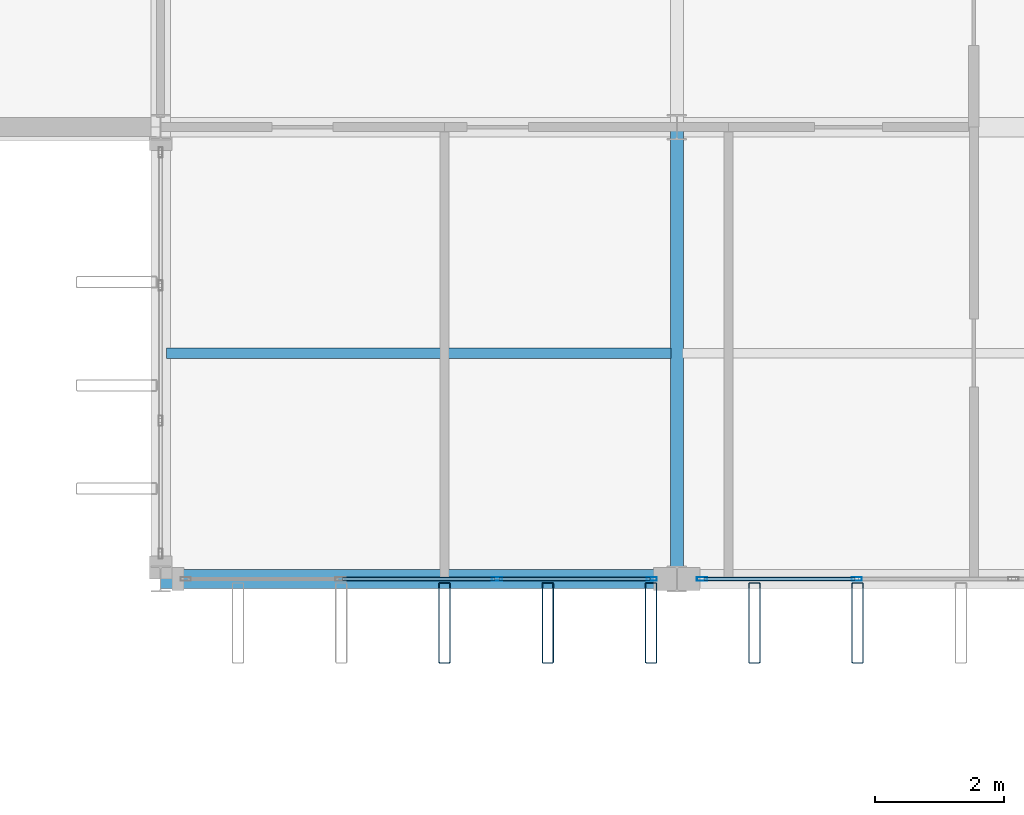
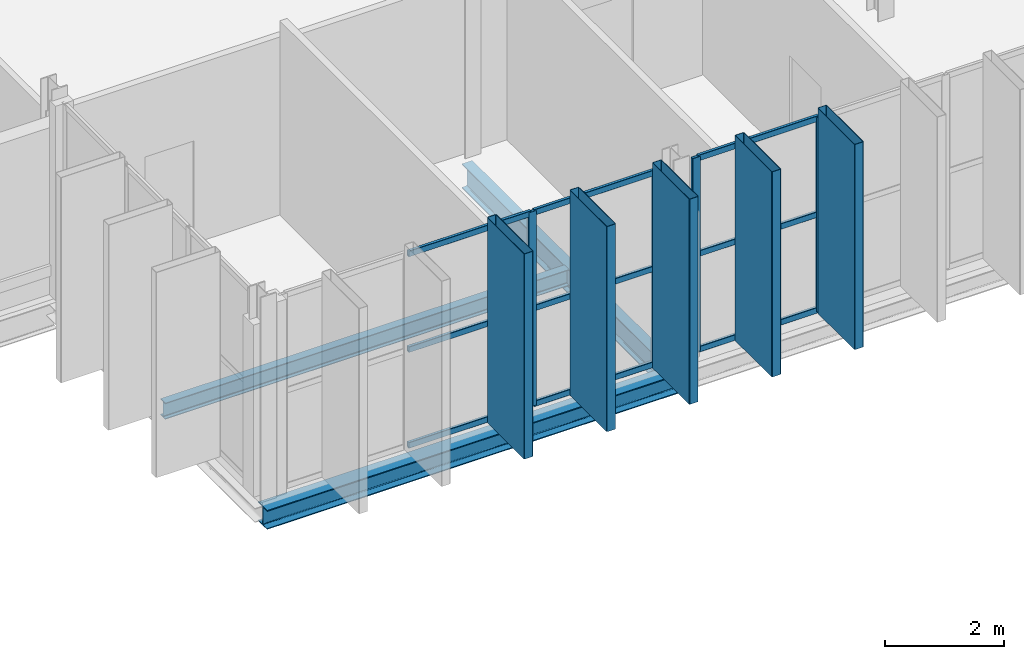
# One storey, part 25 of 101: 18 members, 3 beams, 2 elements without a shape of their own.
"""IFC4 building model written with IfcOpenShell, lengths in metres."""

from ifc_helpers import new_model, si_unit, direction, frame, origin, origin_2d, place, context, subcontext, project, spatial, hollow_rectangle, i_section, extrude, material, layer, layer_set, material_profile, profile_set, type_object, element, aggregate, save


model = new_model("IFC4")

# Units and contexts
model_context = context("Model", 3, precision=1e-05, world=origin(), true_north=direction((0.0, 1.0)))
body_context = subcontext(model_context, "Body", "Model", "MODEL_VIEW")
ifc_project = project(units=[si_unit("LENGTHUNIT", "METRE"), si_unit("AREAUNIT", "SQUARE_METRE"), si_unit("VOLUMEUNIT", "CUBIC_METRE"), si_unit("PLANEANGLEUNIT", "RADIAN"), si_unit("MASSUNIT", "GRAM", prefix="KILO")], contexts=[model_context])

# Site, building, storey
site_placement = place(None, origin())
site = spatial("IfcSite", under=ifc_project, at=site_placement, CompositionType="ELEMENT")
building_placement = place(site_placement, origin())
building = spatial("IfcBuilding", under=site, at=building_placement, Name="Vekula Escarpment Museum", CompositionType="ELEMENT")
storey_placement = place(building_placement, frame((0.0, 0.0, 18.0)))
storey = spatial("IfcBuildingStorey", under=building, at=storey_placement, Name="L04", CompositionType="ELEMENT", Elevation=18.0)

# Beams
ifc_material_1 = material(Name="Steel S355", Category="steel")
ifc_material_profile_1 = material_profile(ifc_material_1, i_section(OverallWidth=0.199951171875, OverallDepth=0.5, WebThickness=0.01025390625, FlangeThickness=0.01611328125, FilletRadius=0.02099609375, at=origin_2d()), Name="IPE 500")
ifc_profile_set_1 = profile_set([ifc_material_profile_1], Name="Steel S355")
beam_type_1 = type_object("IfcBeamType", Name="BM-GIRD-IPE500", PredefinedType="BEAM", material=ifc_profile_set_1)
beam_1_placement = place(storey_placement, frame((78.0, 45.60009765625, -0.489990234375), z_axis=(0.0, 1.0, 0.0), x_axis=(-1.0, 0.0, 0.0)))
element("IfcBeam", 1, at=beam_1_placement, inside=storey, type_object=beam_type_1, Name="Beam Y L04 1879", PredefinedType="BEAM", context=body_context, shape_type="SweptSolid", body=[
    extrude(i_section(OverallWidth=0.199951171875, OverallDepth=0.5, WebThickness=0.01025390625, FlangeThickness=0.01611328125, FilletRadius=0.02099609375, at=origin_2d()), origin(), (0.0, 0.0, 1.0), 7.0),
])
ifc_material_2 = material(Name="Steel S355", Category="steel")
ifc_material_profile_2 = material_profile(ifc_material_2, i_section(OverallWidth=0.159912109375, OverallDepth=0.330078125, WebThickness=0.007568359375, FlangeThickness=0.011474609375, FilletRadius=0.01806640625, at=origin_2d()), Name="IPE 330")
ifc_profile_set_2 = profile_set([ifc_material_profile_2], Name="Steel S355")
beam_type_2 = type_object("IfcBeamType", Name="BM-JST-IPE330", PredefinedType="JOIST", material=ifc_profile_set_2)
beam_2_placement = place(storey_placement, frame((70.090087890625, 49.10009765625, -0.405029296875), z_axis=(1.0, 0.0, 0.0), x_axis=(0.0, 1.0, 0.0)))
element("IfcBeam", 2, at=beam_2_placement, inside=storey, type_object=beam_type_2, Name="Secondary Joist L04 1197", PredefinedType="JOIST", context=body_context, shape_type="SweptSolid", body=[
    extrude(i_section(OverallWidth=0.159912109375, OverallDepth=0.330078125, WebThickness=0.007568359375, FlangeThickness=0.011474609375, FilletRadius=0.01806640625, at=origin_2d()), origin(), (0.0, 0.0, 1.0), 7.81982421875),
])
ifc_material_3 = material(Name="Steel S355", Category="steel")
ifc_material_profile_3 = material_profile(ifc_material_3, i_section(OverallWidth=0.300048828125, OverallDepth=0.389892578125, WebThickness=0.010986328125, FlangeThickness=0.01904296875, FilletRadius=0.027099609375, at=origin_2d()), Name="HEA 400")
ifc_profile_set_3 = profile_set([ifc_material_profile_3], Name="Steel S355")
beam_type_3 = type_object("IfcBeamType", Name="BM-SPAN-HEA400", PredefinedType="SPANDREL", material=ifc_profile_set_3)
beam_3_placement = place(storey_placement, frame((70.0, 45.60009765625, -0.43505859375), z_axis=(1.0, 0.0, 0.0), x_axis=(0.0, 1.0, 0.0)))
element("IfcBeam", 3, at=beam_3_placement, inside=storey, type_object=beam_type_3, Name="Beam X L04 1683", PredefinedType="SPANDREL", context=body_context, shape_type="SweptSolid", body=[
    extrude(i_section(OverallWidth=0.300048828125, OverallDepth=0.389892578125, WebThickness=0.010986328125, FlangeThickness=0.01904296875, FilletRadius=0.027099609375, at=origin_2d()), origin(), (0.0, 0.0, 1.0), 8.0),
])

# Curtain wall, members
ifc_material_4 = material(Name="Aluminium thermally broken framing", Category="aluminium")
ifc_layer_1 = layer(ifc_material_4, 0.159912109375)
ifc_layer_set_1 = layer_set([ifc_layer_1], Name="Aluminium thermally broken framing")
curtain_wall_type_1 = type_object("IfcCurtainWallType", Name="CW-SYS-02", PredefinedType="NOTDEFINED", material=ifc_layer_set_1)
curtain_wall_1_placement = place(storey_placement, origin())
curtain_wall_1 = element("IfcCurtainWall", 4, at=curtain_wall_1_placement, inside=storey, type_object=curtain_wall_type_1, Name="Curtain Wall CW-L04-132", PredefinedType="NOTDEFINED")
ifc_material_5 = material(Name="Aluminium anodized mullion", Category="aluminium")
ifc_material_profile_4 = material_profile(ifc_material_5, hollow_rectangle(XDim=0.06005859375, YDim=0.159912109375, WallThickness=0.00390625, InnerFilletRadius=0.00390625, OuterFilletRadius=0.008056640625, at=origin_2d()), Name="ALU 160x60x4")
ifc_profile_set_4 = profile_set([ifc_material_profile_4], Name="Aluminium anodized mullion")
member_type_1 = type_object("IfcMemberType", Name="CW-MUL-160", PredefinedType="MULLION", material=ifc_profile_set_4)
member_1_placement = place(storey_placement, frame((75.21337890625, 45.60009765625, 0.0), z_axis=(0.0, 0.0, 1.0), x_axis=(0.0, 1.0, 0.0)))
member_1 = element("IfcMember", 5, at=member_1_placement, type_object=member_type_1, Name="CW-02 mullion 3", PredefinedType="MULLION", context=body_context, shape_type="SweptSolid", body=[
    extrude(hollow_rectangle(XDim=0.06005859375, YDim=0.159912109375, WallThickness=0.00390625, InnerFilletRadius=0.00390625, OuterFilletRadius=0.008056640625, at=origin_2d()), origin(), (0.0, 0.0, 1.0), 3.97998046875),
])
member_2_placement = place(storey_placement, frame((77.610107421875, 45.60009765625, 0.0), z_axis=(0.0, 0.0, 1.0), x_axis=(0.0, 1.0, 0.0)))
member_2 = element("IfcMember", 6, at=member_2_placement, type_object=member_type_1, Name="CW-02 mullion 4", PredefinedType="MULLION", context=body_context, shape_type="SweptSolid", body=[
    extrude(hollow_rectangle(XDim=0.06005859375, YDim=0.159912109375, WallThickness=0.00390625, InnerFilletRadius=0.00390625, OuterFilletRadius=0.008056640625, at=origin_2d()), origin(), (0.0, 0.0, 1.0), 3.97998046875),
])

ifc_material_6 = material(Name="Aluminium thermally broken framing", Category="aluminium")
ifc_layer_2 = layer(ifc_material_6, 0.199951171875)
ifc_layer_set_2 = layer_set([ifc_layer_2], Name="Aluminium thermally broken framing")
curtain_wall_type_2 = type_object("IfcCurtainWallType", Name="CW-SYS-03", PredefinedType="NOTDEFINED", material=ifc_layer_set_2)
curtain_wall_2_placement = place(storey_placement, origin())
curtain_wall_2 = element("IfcCurtainWall", 7, at=curtain_wall_2_placement, inside=storey, type_object=curtain_wall_type_2, Name="Curtain Wall CW-L04-133", PredefinedType="NOTDEFINED")
member_3_placement = place(storey_placement, frame((78.389892578125, 45.60009765625, 0.0), z_axis=(0.0, 0.0, 1.0), x_axis=(0.0, 1.0, 0.0)))
member_3 = element("IfcMember", 8, at=member_3_placement, type_object=member_type_1, Name="CW-03 mullion 1", PredefinedType="MULLION", context=body_context, shape_type="SweptSolid", body=[
    extrude(hollow_rectangle(XDim=0.06005859375, YDim=0.159912109375, WallThickness=0.00390625, InnerFilletRadius=0.00390625, OuterFilletRadius=0.008056640625, at=origin_2d()), origin(), (0.0, 0.0, 1.0), 3.97998046875),
])
member_4_placement = place(storey_placement, frame((80.78662109375, 45.60009765625, 0.0), z_axis=(0.0, 0.0, 1.0), x_axis=(0.0, 1.0, 0.0)))
member_4 = element("IfcMember", 9, at=member_4_placement, type_object=member_type_1, Name="CW-03 mullion 2", PredefinedType="MULLION", context=body_context, shape_type="SweptSolid", body=[
    extrude(hollow_rectangle(XDim=0.06005859375, YDim=0.159912109375, WallThickness=0.00390625, InnerFilletRadius=0.00390625, OuterFilletRadius=0.008056640625, at=origin_2d()), origin(), (0.0, 0.0, 1.0), 3.97998046875),
])

# Member
ifc_material_7 = material(Name="Aluminium anodized transom", Category="aluminium")
ifc_material_profile_5 = material_profile(ifc_material_7, hollow_rectangle(XDim=0.06005859375, YDim=0.1201171875, WallThickness=0.00390625, InnerFilletRadius=0.00390625, OuterFilletRadius=0.008056640625, at=origin_2d()), Name="ALU 120x60x4")
ifc_profile_set_5 = profile_set([ifc_material_profile_5], Name="Aluminium anodized transom")
member_type_2 = type_object("IfcMemberType", Name="CW-TRN-120", PredefinedType="USERDEFINED", material=ifc_profile_set_5)
member_5_placement = place(storey_placement, frame((72.816650390625, 45.60009765625, 0.030029296875), z_axis=(1.0, 0.0, 0.0), x_axis=(0.0, 1.0, 0.0)))
member_5 = element("IfcMember", 10, at=member_5_placement, type_object=member_type_2, Name="CW-02 transom 2.1", ObjectType="TRANSOM", PredefinedType="USERDEFINED", context=body_context, shape_type="SweptSolid", body=[
    extrude(hollow_rectangle(XDim=0.06005859375, YDim=0.1201171875, WallThickness=0.00390625, InnerFilletRadius=0.00390625, OuterFilletRadius=0.008056640625, at=origin_2d()), origin(), (0.0, 0.0, 1.0), 2.36669921875),
])

member_6_placement = place(storey_placement, frame((72.816650390625, 45.60009765625, 1.989990234375), z_axis=(1.0, 0.0, 0.0), x_axis=(0.0, 1.0, 0.0)))
member_6 = element("IfcMember", 11, at=member_6_placement, type_object=member_type_2, Name="CW-02 transom 2.2", ObjectType="TRANSOM", PredefinedType="USERDEFINED", context=body_context, shape_type="SweptSolid", body=[
    extrude(hollow_rectangle(XDim=0.06005859375, YDim=0.1201171875, WallThickness=0.00390625, InnerFilletRadius=0.00390625, OuterFilletRadius=0.008056640625, at=origin_2d()), origin(), (0.0, 0.0, 1.0), 2.36669921875),
])

member_7_placement = place(storey_placement, frame((72.816650390625, 45.60009765625, 3.949951171875), z_axis=(1.0, 0.0, 0.0), x_axis=(0.0, 1.0, 0.0)))
member_7 = element("IfcMember", 12, at=member_7_placement, type_object=member_type_2, Name="CW-02 transom 2.3", ObjectType="TRANSOM", PredefinedType="USERDEFINED", context=body_context, shape_type="SweptSolid", body=[
    extrude(hollow_rectangle(XDim=0.06005859375, YDim=0.1201171875, WallThickness=0.00390625, InnerFilletRadius=0.00390625, OuterFilletRadius=0.008056640625, at=origin_2d()), origin(), (0.0, 0.0, 1.0), 2.36669921875),
])

member_8_placement = place(storey_placement, frame((75.243408203125, 45.60009765625, 0.030029296875), z_axis=(1.0, 0.0, 0.0), x_axis=(0.0, 1.0, 0.0)))
member_8 = element("IfcMember", 13, at=member_8_placement, type_object=member_type_2, Name="CW-02 transom 3.1", ObjectType="TRANSOM", PredefinedType="USERDEFINED", context=body_context, shape_type="SweptSolid", body=[
    extrude(hollow_rectangle(XDim=0.06005859375, YDim=0.1201171875, WallThickness=0.00390625, InnerFilletRadius=0.00390625, OuterFilletRadius=0.008056640625, at=origin_2d()), origin(), (0.0, 0.0, 1.0), 2.336669921875),
])

member_9_placement = place(storey_placement, frame((75.243408203125, 45.60009765625, 1.989990234375), z_axis=(1.0, 0.0, 0.0), x_axis=(0.0, 1.0, 0.0)))
member_9 = element("IfcMember", 14, at=member_9_placement, type_object=member_type_2, Name="CW-02 transom 3.2", ObjectType="TRANSOM", PredefinedType="USERDEFINED", context=body_context, shape_type="SweptSolid", body=[
    extrude(hollow_rectangle(XDim=0.06005859375, YDim=0.1201171875, WallThickness=0.00390625, InnerFilletRadius=0.00390625, OuterFilletRadius=0.008056640625, at=origin_2d()), origin(), (0.0, 0.0, 1.0), 2.336669921875),
])

member_10_placement = place(storey_placement, frame((75.243408203125, 45.60009765625, 3.949951171875), z_axis=(1.0, 0.0, 0.0), x_axis=(0.0, 1.0, 0.0)))
member_10 = element("IfcMember", 15, at=member_10_placement, type_object=member_type_2, Name="CW-02 transom 3.3", ObjectType="TRANSOM", PredefinedType="USERDEFINED", context=body_context, shape_type="SweptSolid", body=[
    extrude(hollow_rectangle(XDim=0.06005859375, YDim=0.1201171875, WallThickness=0.00390625, InnerFilletRadius=0.00390625, OuterFilletRadius=0.008056640625, at=origin_2d()), origin(), (0.0, 0.0, 1.0), 2.336669921875),
])

aggregate(curtain_wall_1, [member_1, member_2, member_5, member_6, member_7, member_8, member_9, member_10])

member_11_placement = place(storey_placement, frame((78.419921875, 45.60009765625, 0.030029296875), z_axis=(1.0, 0.0, 0.0), x_axis=(0.0, 1.0, 0.0)))
member_11 = element("IfcMember", 16, at=member_11_placement, type_object=member_type_2, Name="CW-03 transom 1.1", ObjectType="TRANSOM", PredefinedType="USERDEFINED", context=body_context, shape_type="SweptSolid", body=[
    extrude(hollow_rectangle(XDim=0.06005859375, YDim=0.1201171875, WallThickness=0.00390625, InnerFilletRadius=0.00390625, OuterFilletRadius=0.008056640625, at=origin_2d()), origin(), (0.0, 0.0, 1.0), 2.336669921875),
])

member_12_placement = place(storey_placement, frame((78.419921875, 45.60009765625, 1.989990234375), z_axis=(1.0, 0.0, 0.0), x_axis=(0.0, 1.0, 0.0)))
member_12 = element("IfcMember", 17, at=member_12_placement, type_object=member_type_2, Name="CW-03 transom 1.2", ObjectType="TRANSOM", PredefinedType="USERDEFINED", context=body_context, shape_type="SweptSolid", body=[
    extrude(hollow_rectangle(XDim=0.06005859375, YDim=0.1201171875, WallThickness=0.00390625, InnerFilletRadius=0.00390625, OuterFilletRadius=0.008056640625, at=origin_2d()), origin(), (0.0, 0.0, 1.0), 2.336669921875),
])

member_13_placement = place(storey_placement, frame((78.419921875, 45.60009765625, 3.949951171875), z_axis=(1.0, 0.0, 0.0), x_axis=(0.0, 1.0, 0.0)))
member_13 = element("IfcMember", 18, at=member_13_placement, type_object=member_type_2, Name="CW-03 transom 1.3", ObjectType="TRANSOM", PredefinedType="USERDEFINED", context=body_context, shape_type="SweptSolid", body=[
    extrude(hollow_rectangle(XDim=0.06005859375, YDim=0.1201171875, WallThickness=0.00390625, InnerFilletRadius=0.00390625, OuterFilletRadius=0.008056640625, at=origin_2d()), origin(), (0.0, 0.0, 1.0), 2.336669921875),
])

aggregate(curtain_wall_2, [member_3, member_4, member_11, member_12, member_13])

# Members
ifc_material_8 = material(Name="Steel S355 weathered bronze solar fin", Category="steel")
ifc_material_profile_6 = material_profile(ifc_material_8, hollow_rectangle(XDim=0.179931640625, YDim=1.25, WallThickness=0.010009765625, InnerFilletRadius=0.010009765625, OuterFilletRadius=0.02001953125, at=origin_2d()), Name="RHS 1250x180x10")
ifc_profile_set_6 = profile_set([ifc_material_profile_6], Name="Steel S355 weathered bronze solar fin")
member_type_3 = type_object("IfcMemberType", Name="MB-SOLAR-FIN", PredefinedType="USERDEFINED", material=ifc_profile_set_6)
for number, where, z_axis, x_axis, name in (
    (19, (74.39990234375, 44.919921875, 0.0), (0.0, 0.0, 1.0), (1.0, 0.0, 0.0), "Great Hall Vertical Solar Fin 0014"),
    (20, (76.0, 44.919921875, 0.0), (0.0, 0.0, 1.0), (1.0, 0.0, 0.0), "Great Hall Vertical Solar Fin 0019"),
    (21, (77.60009765625, 44.919921875, 0.0), (0.0, 0.0, 1.0), (1.0, 0.0, 0.0), "Great Hall Vertical Solar Fin 0024"),
    (22, (79.199951171875, 44.919921875, 0.0), (0.0, 0.0, 1.0), (1.0, 0.0, 0.0), "Great Hall Vertical Solar Fin 0029"),
    (23, (80.800048828125, 44.919921875, 0.0), (0.0, 0.0, 1.0), (1.0, 0.0, 0.0), "Great Hall Vertical Solar Fin 0034"),
):
    element("IfcMember", number, at=place(storey_placement, frame(where, z_axis=z_axis, x_axis=x_axis)), inside=storey, type_object=member_type_3, Name=name, ObjectType="SOLAR FIN", PredefinedType="USERDEFINED", context=body_context, shape_type="SweptSolid", body=[
        extrude(hollow_rectangle(XDim=0.179931640625, YDim=1.25, WallThickness=0.010009765625, InnerFilletRadius=0.010009765625, OuterFilletRadius=0.02001953125, at=origin_2d()), origin(), (0.0, 0.0, 1.0), 4.199951171875),
    ])

save(model, "model.ifc")
